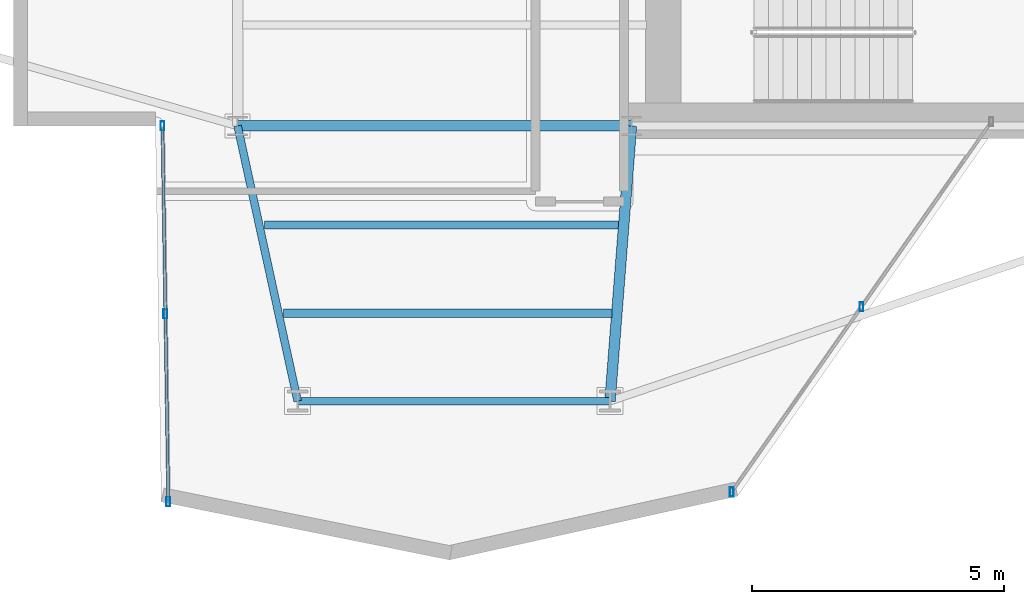
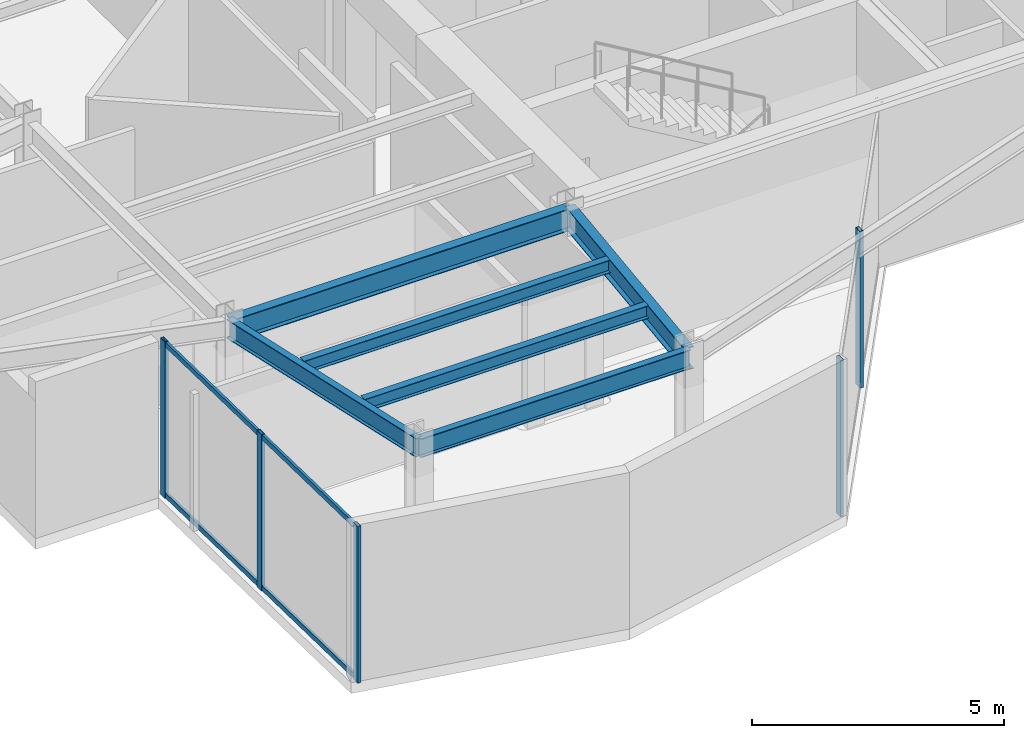
# One storey, part 6 of 24: 7 members, 6 beams, 2 elements without a shape of their own.
"""IFC4 building model written with IfcOpenShell, lengths in metres."""

from ifc_helpers import new_model, si_unit, direction, frame, origin, origin_2d, place, context, subcontext, project, spatial, hollow_rectangle, i_section, extrude, material, layer, layer_set, material_profile, profile_set, type_object, element, aggregate, save


model = new_model("IFC4")

# Units and contexts
model_context = context("Model", 3, precision=1e-05, world=origin(), true_north=direction((0.0, 1.0)))
body_context = subcontext(model_context, "Body", "Model", "MODEL_VIEW")
ifc_project = project(units=[si_unit("LENGTHUNIT", "METRE"), si_unit("AREAUNIT", "SQUARE_METRE"), si_unit("VOLUMEUNIT", "CUBIC_METRE"), si_unit("PLANEANGLEUNIT", "RADIAN"), si_unit("MASSUNIT", "GRAM", prefix="KILO")], contexts=[model_context])

# Site, building, storey
site_placement = place(None, origin())
site = spatial("IfcSite", under=ifc_project, at=site_placement, CompositionType="ELEMENT")
building_placement = place(site_placement, origin())
building = spatial("IfcBuilding", under=site, at=building_placement, Name="Veymaron Broadcast Tower", CompositionType="ELEMENT")
storey_placement = place(building_placement, frame((0.0, 0.0, 220.199951171875)))
storey = spatial("IfcBuildingStorey", under=building, at=storey_placement, Name="L51", CompositionType="ELEMENT", Elevation=220.199951171875)

# Beams
ifc_material_1 = material(Name="Structural steel ASTM A992 Gr 50", Category="steel")
ifc_material_profile_1 = material_profile(ifc_material_1, i_section(OverallWidth=0.2099609375, OverallDepth=0.537109375, WebThickness=0.010986328125, FlangeThickness=0.017333984375, at=origin_2d()), Name="W530X101")
ifc_profile_set_1 = profile_set([ifc_material_profile_1], Name="Structural steel ASTM A992 Gr 50")
beam_type_1 = type_object("IfcBeamType", Name="BM-FG3", PredefinedType="BEAM", material=ifc_profile_set_1)
beam_1_placement = place(storey_placement, frame((31.199951171875, 16.0, 3.521484375), z_axis=(1.0, 0.0, 0.0), x_axis=(0.0, 1.0, 0.0)))
element("IfcBeam", 1, at=beam_1_placement, inside=storey, type_object=beam_type_1, Name="L51 primary structural floor girder", PredefinedType="BEAM", context=body_context, shape_type="SweptSolid", body=[
    extrude(i_section(OverallWidth=0.2099609375, OverallDepth=0.537109375, WebThickness=0.010986328125, FlangeThickness=0.017333984375, at=origin_2d()), origin(), (0.0, 0.0, 1.0), 7.800048828125),
])
beam_2_placement = place(storey_placement, frame((39.0, 16.0, 3.521484375), z_axis=(-0.077755189345, -0.996972482333, 0.0), x_axis=(0.996972482333, -0.077755189345, 0.0)))
element("IfcBeam", 2, at=beam_2_placement, inside=storey, type_object=beam_type_1, Name="L51 primary structural floor girder", PredefinedType="BEAM", context=body_context, shape_type="SweptSolid", body=[
    extrude(i_section(OverallWidth=0.2099609375, OverallDepth=0.537109375, WebThickness=0.010986328125, FlangeThickness=0.017333984375, at=origin_2d()), origin(), (0.0, 0.0, 1.0), 5.466552734375),
])
ifc_material_profile_2 = material_profile(ifc_material_1, i_section(OverallWidth=0.1650390625, OverallDepth=0.31005859375, WebThickness=0.005859375, FlangeThickness=0.009765625, at=origin_2d()), Name="W310X39")
ifc_profile_set_2 = profile_set([ifc_material_profile_2], Name="Structural steel ASTM A992 Gr 50")
beam_type_2 = type_object("IfcBeamType", Name="BM-JS3", PredefinedType="JOIST", material=ifc_profile_set_2)
beam_3_placement = place(storey_placement, frame((31.728515625, 14.0380859375, 3.635009765625), z_axis=(1.0, 0.0, 0.0), x_axis=(0.0, 1.0, 0.0)))
element("IfcBeam", 3, at=beam_3_placement, inside=storey, type_object=beam_type_2, Name="L51 Arm-C secondary joist 1", PredefinedType="JOIST", context=body_context, shape_type="SweptSolid", body=[
    extrude(i_section(OverallWidth=0.1650390625, OverallDepth=0.31005859375, WebThickness=0.005859375, FlangeThickness=0.009765625, at=origin_2d()), origin(), (0.0, 0.0, 1.0), 7.0185546875),
])
beam_4_placement = place(storey_placement, frame((32.109130859375, 12.2939453125, 3.635009765625), z_axis=(1.0, 0.0, 0.0), x_axis=(0.0, 1.0, 0.0)))
element("IfcBeam", 4, at=beam_4_placement, inside=storey, type_object=beam_type_2, Name="L51 Arm-C secondary joist 2", PredefinedType="JOIST", context=body_context, shape_type="SweptSolid", body=[
    extrude(i_section(OverallWidth=0.1650390625, OverallDepth=0.31005859375, WebThickness=0.005859375, FlangeThickness=0.009765625, at=origin_2d()), origin(), (0.0, 0.0, 1.0), 6.501953125),
])
ifc_material_profile_3 = material_profile(ifc_material_1, i_section(OverallWidth=0.154052734375, OverallDepth=0.458984375, WebThickness=0.009033203125, FlangeThickness=0.015380859375, at=origin_2d()), Name="W460X68")
ifc_profile_set_3 = profile_set([ifc_material_profile_3], Name="Structural steel ASTM A992 Gr 50")
beam_type_3 = type_object("IfcBeamType", Name="BM-SP2", PredefinedType="SPANDREL", material=ifc_profile_set_3)
beam_5_placement = place(storey_placement, frame((31.199951171875, 16.0, 3.560546875), z_axis=(0.21331443187, -0.976983599226, 0.0), x_axis=(0.976983599226, 0.21331443187, 0.0)))
element("IfcBeam", 5, at=beam_5_placement, inside=storey, type_object=beam_type_3, Name="L51 primary structural floor girder", PredefinedType="SPANDREL", context=body_context, shape_type="SweptSolid", body=[
    extrude(i_section(OverallWidth=0.154052734375, OverallDepth=0.458984375, WebThickness=0.009033203125, FlangeThickness=0.015380859375, at=origin_2d()), origin(), (0.0, 0.0, 1.0), 5.578369140625),
])
beam_6_placement = place(storey_placement, frame((32.389892578125, 10.550048828125, 3.560546875), z_axis=(1.0, 0.0, 0.0), x_axis=(0.0, 1.0, 0.0)))
element("IfcBeam", 6, at=beam_6_placement, inside=storey, type_object=beam_type_3, Name="L51 primary structural floor girder", PredefinedType="SPANDREL", context=body_context, shape_type="SweptSolid", body=[
    extrude(i_section(OverallWidth=0.154052734375, OverallDepth=0.458984375, WebThickness=0.009033203125, FlangeThickness=0.015380859375, at=origin_2d()), origin(), (0.0, 0.0, 1.0), 6.18505859375),
])

# Curtain wall, members
ifc_material_2 = material(Name="Anodised aluminium AA 6063-T6 and laminated low-E dark glass", Category="aluminium")
ifc_layer = layer(ifc_material_2, 0.179931640625)
ifc_layer_set = layer_set([ifc_layer], Name="Anodised aluminium AA 6063-T6 and laminated low-E dark glass")
curtain_wall_type = type_object("IfcCurtainWallType", Name="CW-SYS-05", PredefinedType="NOTDEFINED", material=ifc_layer_set)
curtain_wall_1_placement = place(storey_placement, origin())
curtain_wall_1 = element("IfcCurtainWall", 7, at=curtain_wall_1_placement, inside=storey, type_object=curtain_wall_type, Name="L51 dark-glass curtain wall CW-L51-E17-1", PredefinedType="NOTDEFINED")
ifc_material_3 = material(Name="Anodised aluminium AA 6063-T6", Category="aluminium")
ifc_material_profile_4 = material_profile(ifc_material_3, hollow_rectangle(XDim=0.074951171875, YDim=0.179931640625, WallThickness=0.0048828125, at=origin_2d()), Name="AL180X75X5")
ifc_profile_set_4 = profile_set([ifc_material_profile_4], Name="Anodised aluminium AA 6063-T6")
member_type_1 = type_object("IfcMemberType", Name="CW-MUL-02", PredefinedType="MULLION", material=ifc_profile_set_4)
member_1_placement = place(storey_placement, frame((29.71240234375, 16.002197265625, 0.0), z_axis=(0.0, 0.0, 1.0), x_axis=(1.0, 0.0, 0.0)))
member_1 = element("IfcMember", 8, at=member_1_placement, type_object=member_type_1, Name="CW-L51-E17-1 mullion 0", PredefinedType="MULLION", context=body_context, shape_type="SweptSolid", body=[
    extrude(hollow_rectangle(XDim=0.074951171875, YDim=0.179931640625, WallThickness=0.0048828125, at=origin_2d()), origin(), (0.0, 0.0, 1.0), 3.7900390625),
])
member_2_placement = place(storey_placement, frame((29.77001953125, 12.27978515625, 0.0), z_axis=(0.0, 0.0, 1.0), x_axis=(1.0, 0.0, 0.0)))
member_2 = element("IfcMember", 9, at=member_2_placement, type_object=member_type_1, Name="CW-L51-E17-1 mullion 1", PredefinedType="MULLION", context=body_context, shape_type="SweptSolid", body=[
    extrude(hollow_rectangle(XDim=0.074951171875, YDim=0.179931640625, WallThickness=0.0048828125, at=origin_2d()), origin(), (0.0, 0.0, 1.0), 3.7900390625),
])
member_3_placement = place(storey_placement, frame((29.82763671875, 8.55712890625, 0.0), z_axis=(0.0, 0.0, 1.0), x_axis=(1.0, 0.0, 0.0)))
member_3 = element("IfcMember", 10, at=member_3_placement, type_object=member_type_1, Name="CW-L51-E17-1 mullion 2", PredefinedType="MULLION", context=body_context, shape_type="SweptSolid", body=[
    extrude(hollow_rectangle(XDim=0.074951171875, YDim=0.179931640625, WallThickness=0.0048828125, at=origin_2d()), origin(), (0.0, 0.0, 1.0), 3.7900390625),
])

curtain_wall_2_placement = place(storey_placement, origin())
curtain_wall_2 = element("IfcCurtainWall", 11, at=curtain_wall_2_placement, inside=storey, type_object=curtain_wall_type, Name="L51 dark-glass curtain wall CW-L51-E20-1", PredefinedType="NOTDEFINED")
member_4_placement = place(storey_placement, frame((40.98779296875, 8.750244140625, 0.0), z_axis=(0.0, 0.0, 1.0), x_axis=(1.0, 0.0, 0.0)))
member_4 = element("IfcMember", 12, at=member_4_placement, type_object=member_type_1, Name="CW-L51-E20-1 mullion 0", PredefinedType="MULLION", context=body_context, shape_type="SweptSolid", body=[
    extrude(hollow_rectangle(XDim=0.074951171875, YDim=0.179931640625, WallThickness=0.0048828125, at=origin_2d()), origin(), (0.0, 0.0, 1.0), 3.7900390625),
])
member_5_placement = place(storey_placement, frame((43.55615234375, 12.415283203125, 0.0), z_axis=(0.0, 0.0, 1.0), x_axis=(1.0, 0.0, 0.0)))
member_5 = element("IfcMember", 13, at=member_5_placement, type_object=member_type_1, Name="CW-L51-E20-1 mullion 1", PredefinedType="MULLION", context=body_context, shape_type="SweptSolid", body=[
    extrude(hollow_rectangle(XDim=0.074951171875, YDim=0.179931640625, WallThickness=0.0048828125, at=origin_2d()), origin(), (0.0, 0.0, 1.0), 3.7900390625),
])
aggregate(curtain_wall_2, [member_4, member_5])

# Member
ifc_material_profile_5 = material_profile(ifc_material_3, hollow_rectangle(XDim=0.06005859375, YDim=0.1201171875, WallThickness=0.00390625, at=origin_2d()), Name="AL120X60X4")
ifc_profile_set_5 = profile_set([ifc_material_profile_5], Name="Anodised aluminium AA 6063-T6")
member_type_2 = type_object("IfcMemberType", Name="CW-TRN-02", PredefinedType="USERDEFINED", material=ifc_profile_set_5)
member_6_placement = place(storey_placement, frame((29.713134765625, 15.9521484375, 0.070068359375), z_axis=(0.015487588765, -0.999880060104, 0.0), x_axis=(0.999880060104, 0.015487588765, 0.0)))
member_6 = element("IfcMember", 14, at=member_6_placement, type_object=member_type_2, Name="CW-L51-E17-1 transom B", ObjectType="TRANSOM", PredefinedType="USERDEFINED", context=body_context, shape_type="SweptSolid", body=[
    extrude(hollow_rectangle(XDim=0.06005859375, YDim=0.1201171875, WallThickness=0.00390625, at=origin_2d()), origin(), (0.0, 0.0, 1.0), 7.345947265625),
])

member_7_placement = place(storey_placement, frame((29.713134765625, 15.9521484375, 3.719970703125), z_axis=(0.015487588765, -0.999880060104, 0.0), x_axis=(0.999880060104, 0.015487588765, 0.0)))
member_7 = element("IfcMember", 15, at=member_7_placement, type_object=member_type_2, Name="CW-L51-E17-1 transom T", ObjectType="TRANSOM", PredefinedType="USERDEFINED", context=body_context, shape_type="SweptSolid", body=[
    extrude(hollow_rectangle(XDim=0.06005859375, YDim=0.1201171875, WallThickness=0.00390625, at=origin_2d()), origin(), (0.0, 0.0, 1.0), 7.345947265625),
])

aggregate(curtain_wall_1, [member_1, member_2, member_3, member_6, member_7])

save(model, "model.ifc")
